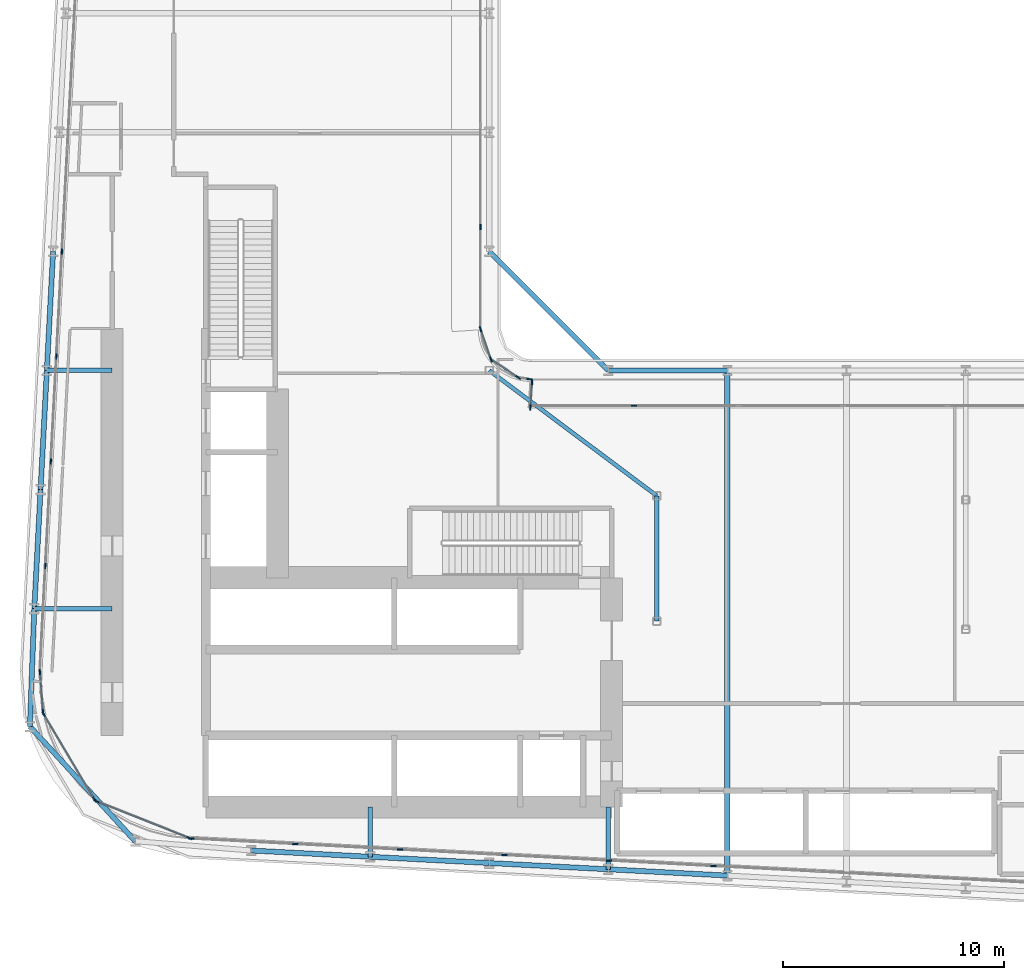
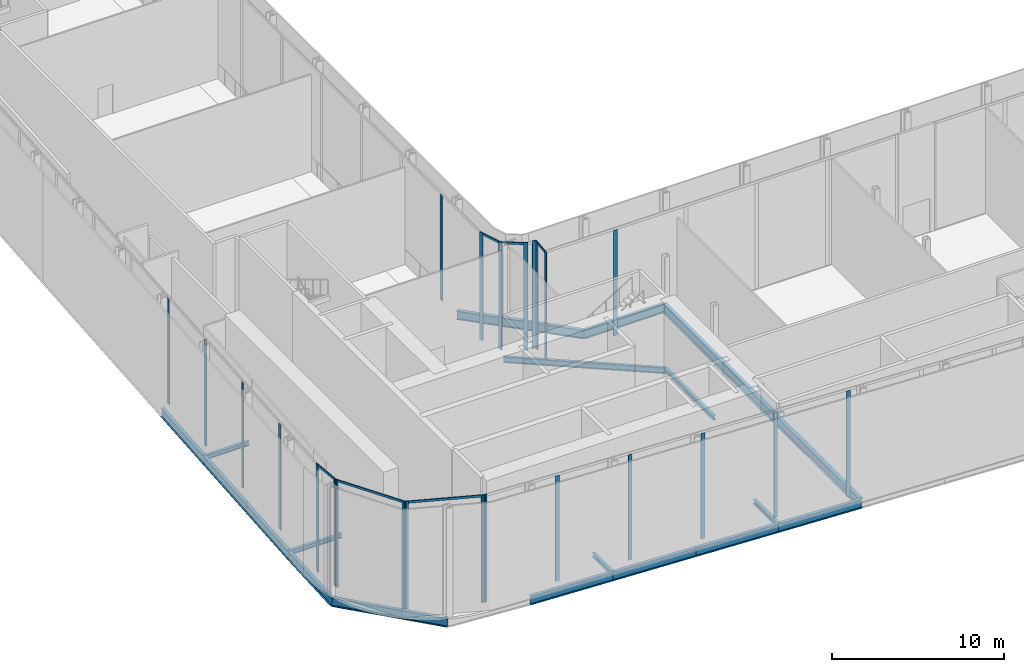
# One storey, part 4 of 36: 30 members, 18 beams, 11 elements without a shape of their own.
"""IFC4 building model written with IfcOpenShell, lengths in metres."""

from ifc_helpers import new_model, si_unit, direction, frame, origin, origin_2d, place, context, subcontext, project, spatial, rectangle, i_section, extrude, material, layer, layer_set, material_profile, profile_set, type_object, element, aggregate, save


model = new_model("IFC4")

# Units and contexts
model_context = context("Model", 3, precision=1e-05, world=origin(), true_north=direction((0.0, 1.0)))
body_context = subcontext(model_context, "Body", "Model", "MODEL_VIEW")
ifc_project = project(units=[si_unit("LENGTHUNIT", "METRE"), si_unit("AREAUNIT", "SQUARE_METRE"), si_unit("VOLUMEUNIT", "CUBIC_METRE"), si_unit("PLANEANGLEUNIT", "RADIAN"), si_unit("MASSUNIT", "GRAM", prefix="KILO")], contexts=[model_context])

# Site, building, storey
site_placement = place(None, origin())
site = spatial("IfcSite", under=ifc_project, at=site_placement, CompositionType="ELEMENT")
building_placement = place(site_placement, origin())
building = spatial("IfcBuilding", under=site, at=building_placement, Name="Kheshtan School and Residences Tower", CompositionType="ELEMENT")
storey_placement = place(building_placement, frame((0.0, 0.0, 81.199951171875)))
storey = spatial("IfcBuildingStorey", under=building, at=storey_placement, Name="L19", CompositionType="ELEMENT", Elevation=81.199951171875)

# Beams
ifc_material_1 = material(Name="Steel ASTM A992 Grade 50", Category="steel")
ifc_material_profile_1 = material_profile(ifc_material_1, i_section(OverallWidth=0.202880859375, OverallDepth=0.302978515625, WebThickness=0.007568359375, FlangeThickness=0.01318359375, FilletRadius=0.009033203125, at=origin_2d()), Name="W310x60")
ifc_profile_set_1 = profile_set([ifc_material_profile_1], Name="Steel ASTM A992 Grade 50")
beam_type_1 = type_object("IfcBeamType", Name="Beam FB1 W310x60 ASTM A992 Grade 50", PredefinedType="BEAM", material=ifc_profile_set_1)
beam_1_placement = place(storey_placement, frame((53.0, 22.97998046875, -0.301513671875), z_axis=(0.0, 1.0, 0.0), x_axis=(-1.0, 0.0, 0.0)))
element("IfcBeam", 1, at=beam_1_placement, inside=storey, type_object=beam_type_1, Name="Floor beam C019", PredefinedType="BEAM", context=body_context, shape_type="SweptSolid", body=[
    extrude(i_section(OverallWidth=0.202880859375, OverallDepth=0.302978515625, WebThickness=0.007568359375, FlangeThickness=0.01318359375, FilletRadius=0.009033203125, at=origin_2d()), origin(), (0.0, 0.0, 1.0), 2.820068359375),
])
beam_2_placement = place(storey_placement, frame((42.199951171875, 23.548095703125, -0.301513671875), z_axis=(0.0, 1.0, 0.0), x_axis=(-1.0, 0.0, 0.0)))
element("IfcBeam", 2, at=beam_2_placement, inside=storey, type_object=beam_type_1, Name="Floor beam C021", PredefinedType="BEAM", context=body_context, shape_type="SweptSolid", body=[
    extrude(i_section(OverallWidth=0.202880859375, OverallDepth=0.302978515625, WebThickness=0.007568359375, FlangeThickness=0.01318359375, FilletRadius=0.009033203125, at=origin_2d()), origin(), (0.0, 0.0, 1.0), 2.251953125),
])
beam_3_placement = place(storey_placement, frame((26.968994140625, 34.800048828125, -0.301513671875), z_axis=(1.0, 0.0, 0.0), x_axis=(0.0, 1.0, 0.0)))
element("IfcBeam", 3, at=beam_3_placement, inside=storey, type_object=beam_type_1, Name="Floor beam C052", PredefinedType="BEAM", context=body_context, shape_type="SweptSolid", body=[
    extrude(i_section(OverallWidth=0.202880859375, OverallDepth=0.302978515625, WebThickness=0.007568359375, FlangeThickness=0.01318359375, FilletRadius=0.009033203125, at=origin_2d()), origin(), (0.0, 0.0, 1.0), 3.531005859375),
])
beam_4_placement = place(storey_placement, frame((27.537109375, 45.60009765625, -0.301513671875), z_axis=(1.0, 0.0, 0.0), x_axis=(0.0, 1.0, 0.0)))
element("IfcBeam", 4, at=beam_4_placement, inside=storey, type_object=beam_type_1, Name="Floor beam C059", PredefinedType="BEAM", context=body_context, shape_type="SweptSolid", body=[
    extrude(i_section(OverallWidth=0.202880859375, OverallDepth=0.302978515625, WebThickness=0.007568359375, FlangeThickness=0.01318359375, FilletRadius=0.009033203125, at=origin_2d()), origin(), (0.0, 0.0, 1.0), 2.962890625),
])
beam_5_placement = place(storey_placement, frame((55.199951171875, 34.23193359375, -0.301513671875), z_axis=(0.0, 1.0, 0.0), x_axis=(-1.0, 0.0, 0.0)))
element("IfcBeam", 5, at=beam_5_placement, inside=storey, type_object=beam_type_1, Name="Floor beam IC", PredefinedType="BEAM", context=body_context, shape_type="SweptSolid", body=[
    extrude(i_section(OverallWidth=0.202880859375, OverallDepth=0.302978515625, WebThickness=0.007568359375, FlangeThickness=0.01318359375, FilletRadius=0.009033203125, at=origin_2d()), origin(), (0.0, 0.0, 1.0), 5.68408203125),
])
ifc_material_profile_2 = material_profile(ifc_material_1, i_section(OverallWidth=0.180908203125, OverallDepth=0.4169921875, WebThickness=0.010986328125, FlangeThickness=0.018310546875, FilletRadius=0.012451171875, at=origin_2d()), Name="W410x85")
ifc_profile_set_2 = profile_set([ifc_material_profile_2], Name="Steel ASTM A992 Grade 50")
beam_type_2 = type_object("IfcBeamType", Name="Beam FB3 W410x85 ASTM A992 Grade 50", PredefinedType="BEAM", material=ifc_profile_set_2)
beam_6_placement = place(storey_placement, frame((47.60009765625, 45.60009765625, -0.3583984375), z_axis=(0.800798828004, -0.598933416222, 0.0), x_axis=(0.598933416222, 0.800798828004, 0.0)))
element("IfcBeam", 6, at=beam_6_placement, inside=storey, type_object=beam_type_2, Name="Floor beam IC", PredefinedType="BEAM", context=body_context, shape_type="SweptSolid", body=[
    extrude(i_section(OverallWidth=0.180908203125, OverallDepth=0.4169921875, WebThickness=0.010986328125, FlangeThickness=0.018310546875, FilletRadius=0.012451171875, at=origin_2d()), origin(), (0.0, 0.0, 1.0), 9.490234375),
])
ifc_material_profile_3 = material_profile(ifc_material_1, i_section(OverallWidth=0.2529296875, OverallDepth=0.677978515625, WebThickness=0.01171875, FlangeThickness=0.016357421875, FilletRadius=0.0146484375, at=origin_2d()), Name="W690x125")
ifc_profile_set_3 = profile_set([ifc_material_profile_3], Name="Steel ASTM A992 Grade 50")
beam_type_3 = type_object("IfcBeamType", Name="Beam FB6 W690x125 ASTM A992 Grade 50", PredefinedType="BEAM", material=ifc_profile_set_3)
beam_7_placement = place(storey_placement, frame((58.39990234375, 45.60009765625, -0.489013671875), z_axis=(0.0, -1.0, 0.0), x_axis=(1.0, 0.0, 0.0)))
element("IfcBeam", 7, at=beam_7_placement, inside=storey, type_object=beam_type_3, Name="Floor beam C062", PredefinedType="BEAM", context=body_context, shape_type="SweptSolid", body=[
    extrude(i_section(OverallWidth=0.2529296875, OverallDepth=0.677978515625, WebThickness=0.01171875, FlangeThickness=0.016357421875, FilletRadius=0.0146484375, at=origin_2d()), origin(), (0.0, 0.0, 1.0), 22.905029296875),
])
ifc_material_profile_4 = material_profile(ifc_material_1, i_section(OverallWidth=0.22998046875, OverallDepth=0.616943359375, WebThickness=0.01318359375, FlangeThickness=0.022216796875, FilletRadius=0.0185546875, at=origin_2d()), Name="W610x140")
ifc_profile_set_4 = profile_set([ifc_material_profile_4], Name="Steel ASTM A992 Grade 50")
beam_type_4 = type_object("IfcBeamType", Name="Beam SP1 W610x140 ASTM A992 Grade 50", PredefinedType="BEAM", material=ifc_profile_set_4)
beam_8_placement = place(storey_placement, frame((47.60009765625, 51.0, -0.45849609375), z_axis=(0.707106781187, -0.707106781187, 0.0), x_axis=(0.707106781187, 0.707106781187, 0.0)))
element("IfcBeam", 8, at=beam_8_placement, inside=storey, type_object=beam_type_4, Name="Spandrel beam C079-C061", PredefinedType="BEAM", context=body_context, shape_type="SweptSolid", body=[
    extrude(i_section(OverallWidth=0.22998046875, OverallDepth=0.616943359375, WebThickness=0.01318359375, FlangeThickness=0.022216796875, FilletRadius=0.0185546875, at=origin_2d()), origin(), (0.0, 0.0, 1.0), 7.63671875),
])
beam_9_placement = place(storey_placement, frame((53.0, 45.60009765625, -0.45849609375), z_axis=(1.0, 0.0, 0.0), x_axis=(0.0, 1.0, 0.0)))
element("IfcBeam", 9, at=beam_9_placement, inside=storey, type_object=beam_type_4, Name="Spandrel beam C061-C062", PredefinedType="BEAM", context=body_context, shape_type="SweptSolid", body=[
    extrude(i_section(OverallWidth=0.22998046875, OverallDepth=0.616943359375, WebThickness=0.01318359375, FlangeThickness=0.022216796875, FilletRadius=0.0185546875, at=origin_2d()), origin(), (0.0, 0.0, 1.0), 5.39990234375),
])
for number, where, z_axis, x_axis, name in (
    (10, (58.39990234375, 22.695068359375, -0.45849609375), (-0.998610961136, 0.052689166816, 0.0), (-0.052689166816, -0.998610961136, 0.0), "Spandrel beam C018-C019"),
    (11, (53.0, 22.97998046875, -0.45849609375), (-0.998620447272, 0.05250906864, 0.0), (-0.05250906864, -0.998620447272, 0.0), "Spandrel beam C019-C020"),
):
    element("IfcBeam", number, at=place(storey_placement, frame(where, z_axis=z_axis, x_axis=x_axis)), inside=storey, type_object=beam_type_4, Name=name, PredefinedType="BEAM", context=body_context, shape_type="SweptSolid", body=[
        extrude(i_section(OverallWidth=0.22998046875, OverallDepth=0.616943359375, WebThickness=0.01318359375, FlangeThickness=0.022216796875, FilletRadius=0.0185546875, at=origin_2d()), origin(), (0.0, 0.0, 1.0), 5.407470703125),
    ])
beam_10_placement = place(storey_placement, frame((47.60009765625, 23.263916015625, -0.45849609375), z_axis=(-0.998618203458, 0.052551724256, 0.0), x_axis=(-0.052551724256, -0.998618203458, 0.0)))
element("IfcBeam", 12, at=beam_10_placement, inside=storey, type_object=beam_type_4, Name="Spandrel beam C020-C021", PredefinedType="BEAM", context=body_context, shape_type="SweptSolid", body=[
    extrude(i_section(OverallWidth=0.22998046875, OverallDepth=0.616943359375, WebThickness=0.01318359375, FlangeThickness=0.022216796875, FilletRadius=0.0185546875, at=origin_2d()), origin(), (0.0, 0.0, 1.0), 5.40771484375),
])
beam_11_placement = place(storey_placement, frame((42.199951171875, 23.548095703125, -0.45849609375), z_axis=(-0.998620447272, 0.05250906864, 0.0), x_axis=(-0.05250906864, -0.998620447272, 0.0)))
element("IfcBeam", 13, at=beam_11_placement, inside=storey, type_object=beam_type_4, Name="Spandrel beam C021-C022", PredefinedType="BEAM", context=body_context, shape_type="SweptSolid", body=[
    extrude(i_section(OverallWidth=0.22998046875, OverallDepth=0.616943359375, WebThickness=0.01318359375, FlangeThickness=0.022216796875, FilletRadius=0.0185546875, at=origin_2d()), origin(), (0.0, 0.0, 1.0), 5.407470703125),
])
beam_12_placement = place(storey_placement, frame((31.5419921875, 24.257080078125, -0.45849609375), z_axis=(-0.676418406149, 0.736517576045, 0.0), x_axis=(-0.736517576045, -0.676418406149, 0.0)))
element("IfcBeam", 14, at=beam_12_placement, inside=storey, type_object=beam_type_4, Name="Spandrel beam C025-C038", PredefinedType="BEAM", context=body_context, shape_type="SweptSolid", body=[
    extrude(i_section(OverallWidth=0.22998046875, OverallDepth=0.616943359375, WebThickness=0.01318359375, FlangeThickness=0.022216796875, FilletRadius=0.0185546875, at=origin_2d()), origin(), (0.0, 0.0, 1.0), 7.05615234375),
])
beam_13_placement = place(storey_placement, frame((26.76904296875, 29.4541015625, -0.45849609375), z_axis=(0.037376249491, 0.999301263871, 0.0), x_axis=(-0.999301263871, 0.037376249491, 0.0)))
element("IfcBeam", 15, at=beam_13_placement, inside=storey, type_object=beam_type_4, Name="Spandrel beam C038-C052", PredefinedType="BEAM", context=body_context, shape_type="SweptSolid", body=[
    extrude(i_section(OverallWidth=0.22998046875, OverallDepth=0.616943359375, WebThickness=0.01318359375, FlangeThickness=0.022216796875, FilletRadius=0.0185546875, at=origin_2d()), origin(), (0.0, 0.0, 1.0), 5.349609375),
])
beam_14_placement = place(storey_placement, frame((26.968994140625, 34.800048828125, -0.45849609375), z_axis=(0.05250906864, 0.998620447272, 0.0), x_axis=(-0.998620447272, 0.05250906864, 0.0)))
element("IfcBeam", 16, at=beam_14_placement, inside=storey, type_object=beam_type_4, Name="Spandrel beam C052-C056", PredefinedType="BEAM", context=body_context, shape_type="SweptSolid", body=[
    extrude(i_section(OverallWidth=0.22998046875, OverallDepth=0.616943359375, WebThickness=0.01318359375, FlangeThickness=0.022216796875, FilletRadius=0.0185546875, at=origin_2d()), origin(), (0.0, 0.0, 1.0), 5.407470703125),
])
beam_15_placement = place(storey_placement, frame((27.2529296875, 40.199951171875, -0.45849609375), z_axis=(0.052551724256, 0.998618203458, 0.0), x_axis=(-0.998618203458, 0.052551724256, 0.0)))
element("IfcBeam", 17, at=beam_15_placement, inside=storey, type_object=beam_type_4, Name="Spandrel beam C056-C059", PredefinedType="BEAM", context=body_context, shape_type="SweptSolid", body=[
    extrude(i_section(OverallWidth=0.22998046875, OverallDepth=0.616943359375, WebThickness=0.01318359375, FlangeThickness=0.022216796875, FilletRadius=0.0185546875, at=origin_2d()), origin(), (0.0, 0.0, 1.0), 5.40771484375),
])
beam_16_placement = place(storey_placement, frame((27.537109375, 45.60009765625, -0.45849609375), z_axis=(0.052689166816, 0.998610961136, 0.0), x_axis=(-0.998610961136, 0.052689166816, 0.0)))
element("IfcBeam", 18, at=beam_16_placement, inside=storey, type_object=beam_type_4, Name="Spandrel beam C059-C078", PredefinedType="BEAM", context=body_context, shape_type="SweptSolid", body=[
    extrude(i_section(OverallWidth=0.22998046875, OverallDepth=0.616943359375, WebThickness=0.01318359375, FlangeThickness=0.022216796875, FilletRadius=0.0185546875, at=origin_2d()), origin(), (0.0, 0.0, 1.0), 5.407470703125),
])

# Curtain wall, member
ifc_material_2 = material(Name="Clear low-e glass in thermally broken aluminium frame", Category="aluminium")
ifc_layer_1 = layer(ifc_material_2, 0.25)
ifc_layer_set_1 = layer_set([ifc_layer_1], Name="Curtain wall CW-G")
curtain_wall_type_1 = type_object("IfcCurtainWallType", Name="Curtain wall CW-G", PredefinedType="NOTDEFINED", material=ifc_layer_set_1)
curtain_wall_1_placement = place(storey_placement, origin())
curtain_wall_1 = element("IfcCurtainWall", 19, at=curtain_wall_1_placement, inside=storey, type_object=curtain_wall_type_1, Name="Curtain wall CWG5", PredefinedType="NOTDEFINED")
ifc_material_3 = material(Name="Thermally broken aluminium, dark bronze anodised", Category="aluminium")
ifc_material_profile_5 = material_profile(ifc_material_3, rectangle(XDim=0.06005859375, YDim=0.25, at=origin_2d()), Name="CW-G mullion 60x250")
ifc_profile_set_5 = profile_set([ifc_material_profile_5], Name="Thermally broken aluminium, dark bronze anodised")
member_type_1 = type_object("IfcMemberType", Name="CW-G mullion 60x250", PredefinedType="MULLION", material=ifc_profile_set_5)
member_1_placement = place(storey_placement, frame((54.169921875, 44.0, 0.0), z_axis=(0.0, 0.0, 1.0), x_axis=(0.0, 1.0, 0.0)))
member_1 = element("IfcMember", 20, at=member_1_placement, type_object=member_type_1, Name="CWG5 mullion 2", PredefinedType="MULLION", context=body_context, shape_type="SweptSolid", body=[
    extrude(rectangle(XDim=0.06005859375, YDim=0.25, at=origin_2d()), origin(), (0.0, 0.0, 1.0), 7.489990234375),
])
aggregate(curtain_wall_1, [member_1])

# Curtain wall, members
ifc_layer_2 = layer(ifc_material_2, 0.25)
ifc_layer_set_2 = layer_set([ifc_layer_2], Name="Curtain wall CW-K")
curtain_wall_type_2 = type_object("IfcCurtainWallType", Name="Curtain wall CW-K", PredefinedType="NOTDEFINED", material=ifc_layer_set_2)
curtain_wall_2_placement = place(storey_placement, origin())
curtain_wall_2 = element("IfcCurtainWall", 21, at=curtain_wall_2_placement, inside=storey, type_object=curtain_wall_type_2, Name="Curtain wall CWK1", PredefinedType="NOTDEFINED")
ifc_material_profile_6 = material_profile(ifc_material_3, rectangle(XDim=0.06005859375, YDim=0.25, at=origin_2d()), Name="CW-K mullion 60x250")
ifc_profile_set_6 = profile_set([ifc_material_profile_6], Name="Thermally broken aluminium, dark bronze anodised")
member_type_2 = type_object("IfcMemberType", Name="CW-K mullion 60x250", PredefinedType="MULLION", material=ifc_profile_set_6)
member_2_placement = place(storey_placement, frame((47.204345703125, 47.473388671875, 0.0), z_axis=(0.0, 0.0, 1.0), x_axis=(0.945190205469, 0.326520252796, 0.0)))
member_2 = element("IfcMember", 22, at=member_2_placement, type_object=member_type_2, Name="CWK1 mullion 1", PredefinedType="MULLION", context=body_context, shape_type="SweptSolid", body=[
    extrude(rectangle(XDim=0.06005859375, YDim=0.25, at=origin_2d()), origin(), (0.0, 0.0, 1.0), 7.650146484375),
])
member_3_placement = place(storey_placement, frame((47.6787109375, 46.10009765625, 0.0), z_axis=(0.0, 0.0, 1.0), x_axis=(0.945190205469, 0.326520252796, 0.0)))
member_3 = element("IfcMember", 23, at=member_3_placement, type_object=member_type_2, Name="CWK1 mullion 2", PredefinedType="MULLION", context=body_context, shape_type="SweptSolid", body=[
    extrude(rectangle(XDim=0.06005859375, YDim=0.25, at=origin_2d()), origin(), (0.0, 0.0, 1.0), 7.650146484375),
])

# Curtain wall, member
curtain_wall_3_placement = place(storey_placement, origin())
curtain_wall_3 = element("IfcCurtainWall", 24, at=curtain_wall_3_placement, inside=storey, type_object=curtain_wall_type_2, Name="Curtain wall CWK2", PredefinedType="NOTDEFINED")
member_4_placement = place(storey_placement, frame((48.90966796875, 45.27978515625, 0.0), z_axis=(0.0, 0.0, 1.0), x_axis=(0.555744859586, 0.831352904033, 0.0)))
member_4 = element("IfcMember", 25, at=member_4_placement, type_object=member_type_2, Name="CWK2 mullion 2", PredefinedType="MULLION", context=body_context, shape_type="SweptSolid", body=[
    extrude(rectangle(XDim=0.06005859375, YDim=0.25, at=origin_2d()), origin(), (0.0, 0.0, 1.0), 7.650146484375),
])

curtain_wall_4_placement = place(storey_placement, origin())
curtain_wall_4 = element("IfcCurtainWall", 26, at=curtain_wall_4_placement, inside=storey, type_object=curtain_wall_type_2, Name="Curtain wall CWK3", PredefinedType="NOTDEFINED")
member_5_placement = place(storey_placement, frame((49.424072265625, 45.205078125, 0.0), z_axis=(0.0, 0.0, 1.0), x_axis=(0.137712714358, 0.990472214807, 0.0)))
member_5 = element("IfcMember", 27, at=member_5_placement, type_object=member_type_2, Name="CWK3 mullion 2", PredefinedType="MULLION", context=body_context, shape_type="SweptSolid", body=[
    extrude(rectangle(XDim=0.06005859375, YDim=0.25, at=origin_2d()), origin(), (0.0, 0.0, 1.0), 7.650146484375),
])
aggregate(curtain_wall_4, [member_5])

# Curtain wall, members
curtain_wall_5_placement = place(storey_placement, origin())
curtain_wall_5 = element("IfcCurtainWall", 28, at=curtain_wall_5_placement, inside=storey, type_object=curtain_wall_type_2, Name="Curtain wall CWK4", PredefinedType="NOTDEFINED")
member_6_placement = place(storey_placement, frame((49.537841796875, 45.0654296875, 0.0), z_axis=(0.0, 0.0, 1.0), x_axis=(0.997829199352, -0.065855059944, 0.0)))
member_6 = element("IfcMember", 29, at=member_6_placement, type_object=member_type_2, Name="CWK4 mullion 1", PredefinedType="MULLION", context=body_context, shape_type="SweptSolid", body=[
    extrude(rectangle(XDim=0.06005859375, YDim=0.25, at=origin_2d()), origin(), (0.0, 0.0, 1.0), 7.650146484375),
])
member_7_placement = place(storey_placement, frame((49.462646484375, 43.928466796875, 0.0), z_axis=(0.0, 0.0, 1.0), x_axis=(0.997829199352, -0.065855059944, 0.0)))
member_7 = element("IfcMember", 30, at=member_7_placement, type_object=member_type_2, Name="CWK4 mullion 2", PredefinedType="MULLION", context=body_context, shape_type="SweptSolid", body=[
    extrude(rectangle(XDim=0.06005859375, YDim=0.25, at=origin_2d()), origin(), (0.0, 0.0, 1.0), 7.650146484375),
])

curtain_wall_6_placement = place(storey_placement, origin())
curtain_wall_6 = element("IfcCurtainWall", 31, at=curtain_wall_6_placement, inside=storey, type_object=curtain_wall_type_2, Name="Curtain wall CWK14", PredefinedType="NOTDEFINED")
member_8_placement = place(storey_placement, frame((57.76513671875, 23.12939453125, 0.0), z_axis=(0.0, 0.0, 1.0), x_axis=(-0.052569888839, -0.998617247391, 0.0)))
member_8 = element("IfcMember", 32, at=member_8_placement, type_object=member_type_2, Name="CWK14 mullion 10", PredefinedType="MULLION", context=body_context, shape_type="SweptSolid", body=[
    extrude(rectangle(XDim=0.06005859375, YDim=0.25, at=origin_2d()), origin(), (0.0, 0.0, 1.0), 7.489990234375),
])
member_9_placement = place(storey_placement, frame((53.024169921875, 23.37890625, 0.0), z_axis=(0.0, 0.0, 1.0), x_axis=(-0.052569888839, -0.998617247391, 0.0)))
member_9 = element("IfcMember", 33, at=member_9_placement, type_object=member_type_2, Name="CWK14 mullion 11", PredefinedType="MULLION", context=body_context, shape_type="SweptSolid", body=[
    extrude(rectangle(XDim=0.06005859375, YDim=0.25, at=origin_2d()), origin(), (0.0, 0.0, 1.0), 7.489990234375),
])
member_10_placement = place(storey_placement, frame((48.283203125, 23.62841796875, 0.0), z_axis=(0.0, 0.0, 1.0), x_axis=(-0.052569888839, -0.998617247391, 0.0)))
member_10 = element("IfcMember", 34, at=member_10_placement, type_object=member_type_2, Name="CWK14 mullion 12", PredefinedType="MULLION", context=body_context, shape_type="SweptSolid", body=[
    extrude(rectangle(XDim=0.06005859375, YDim=0.25, at=origin_2d()), origin(), (0.0, 0.0, 1.0), 7.489990234375),
])
member_11_placement = place(storey_placement, frame((43.54248046875, 23.8779296875, 0.0), z_axis=(0.0, 0.0, 1.0), x_axis=(-0.052569888839, -0.998617247391, 0.0)))
member_11 = element("IfcMember", 35, at=member_11_placement, type_object=member_type_2, Name="CWK14 mullion 13", PredefinedType="MULLION", context=body_context, shape_type="SweptSolid", body=[
    extrude(rectangle(XDim=0.06005859375, YDim=0.25, at=origin_2d()), origin(), (0.0, 0.0, 1.0), 7.489990234375),
])
member_12_placement = place(storey_placement, frame((38.801513671875, 24.127685546875, 0.0), z_axis=(0.0, 0.0, 1.0), x_axis=(-0.052569888839, -0.998617247391, 0.0)))
member_12 = element("IfcMember", 36, at=member_12_placement, type_object=member_type_2, Name="CWK14 mullion 14", PredefinedType="MULLION", context=body_context, shape_type="SweptSolid", body=[
    extrude(rectangle(XDim=0.06005859375, YDim=0.25, at=origin_2d()), origin(), (0.0, 0.0, 1.0), 7.489990234375),
])
member_13_placement = place(storey_placement, frame((34.0908203125, 24.37548828125, 0.0), z_axis=(0.0, 0.0, 1.0), x_axis=(-0.052569888839, -0.998617247391, 0.0)))
member_13 = element("IfcMember", 37, at=member_13_placement, type_object=member_type_2, Name="CWK14 mullion 15", PredefinedType="MULLION", context=body_context, shape_type="SweptSolid", body=[
    extrude(rectangle(XDim=0.06005859375, YDim=0.25, at=origin_2d()), origin(), (0.0, 0.0, 1.0), 7.650146484375),
])
aggregate(curtain_wall_6, [member_8, member_9, member_10, member_11, member_12, member_13])

curtain_wall_7_placement = place(storey_placement, origin())
curtain_wall_7 = element("IfcCurtainWall", 38, at=curtain_wall_7_placement, inside=storey, type_object=curtain_wall_type_2, Name="Curtain wall CWK15", PredefinedType="NOTDEFINED")
member_14_placement = place(storey_placement, frame((34.001220703125, 24.39501953125, 0.0), z_axis=(0.0, 0.0, 1.0), x_axis=(-0.369099336022, -0.929389950531, 0.0)))
member_14 = element("IfcMember", 39, at=member_14_placement, type_object=member_type_2, Name="CWK15 mullion 1", PredefinedType="MULLION", context=body_context, shape_type="SweptSolid", body=[
    extrude(rectangle(XDim=0.06005859375, YDim=0.25, at=origin_2d()), origin(), (0.0, 0.0, 1.0), 7.650146484375),
])
member_15_placement = place(storey_placement, frame((29.7890625, 26.06787109375, 0.0), z_axis=(0.0, 0.0, 1.0), x_axis=(-0.369099336022, -0.929389950531, 0.0)))
member_15 = element("IfcMember", 40, at=member_15_placement, type_object=member_type_2, Name="CWK15 mullion 2", PredefinedType="MULLION", context=body_context, shape_type="SweptSolid", body=[
    extrude(rectangle(XDim=0.06005859375, YDim=0.25, at=origin_2d()), origin(), (0.0, 0.0, 1.0), 7.650146484375),
])

curtain_wall_8_placement = place(storey_placement, origin())
curtain_wall_8 = element("IfcCurtainWall", 41, at=curtain_wall_8_placement, inside=storey, type_object=curtain_wall_type_2, Name="Curtain wall CWK16", PredefinedType="NOTDEFINED")
member_16_placement = place(storey_placement, frame((29.69677734375, 26.146728515625, 0.0), z_axis=(0.0, 0.0, 1.0), x_axis=(-0.85953588802, -0.511075392878, 0.0)))
member_16 = element("IfcMember", 42, at=member_16_placement, type_object=member_type_2, Name="CWK16 mullion 1", PredefinedType="MULLION", context=body_context, shape_type="SweptSolid", body=[
    extrude(rectangle(XDim=0.06005859375, YDim=0.25, at=origin_2d()), origin(), (0.0, 0.0, 1.0), 7.650146484375),
])
member_17_placement = place(storey_placement, frame((27.395263671875, 30.01708984375, 0.0), z_axis=(0.0, 0.0, 1.0), x_axis=(-0.85953588802, -0.511075392878, 0.0)))
member_17 = element("IfcMember", 43, at=member_17_placement, type_object=member_type_2, Name="CWK16 mullion 2", PredefinedType="MULLION", context=body_context, shape_type="SweptSolid", body=[
    extrude(rectangle(XDim=0.06005859375, YDim=0.25, at=origin_2d()), origin(), (0.0, 0.0, 1.0), 7.650146484375),
])

curtain_wall_9_placement = place(storey_placement, origin())
curtain_wall_9 = element("IfcCurtainWall", 44, at=curtain_wall_9_placement, inside=storey, type_object=curtain_wall_type_2, Name="Curtain wall CWK17", PredefinedType="NOTDEFINED")
member_18_placement = place(storey_placement, frame((27.364013671875, 30.1162109375, 0.0), z_axis=(0.0, 0.0, 1.0), x_axis=(-0.996988506678, -0.077549452299, 0.0)))
member_18 = element("IfcMember", 45, at=member_18_placement, type_object=member_type_2, Name="CWK17 mullion 1", PredefinedType="MULLION", context=body_context, shape_type="SweptSolid", body=[
    extrude(rectangle(XDim=0.06005859375, YDim=0.25, at=origin_2d()), origin(), (0.0, 0.0, 1.0), 7.650146484375),
])
member_19_placement = place(storey_placement, frame((27.22265625, 31.933349609375, 0.0), z_axis=(0.0, 0.0, 1.0), x_axis=(-0.996988506678, -0.077549452299, 0.0)))
member_19 = element("IfcMember", 46, at=member_19_placement, type_object=member_type_2, Name="CWK17 mullion 2", PredefinedType="MULLION", context=body_context, shape_type="SweptSolid", body=[
    extrude(rectangle(XDim=0.06005859375, YDim=0.25, at=origin_2d()), origin(), (0.0, 0.0, 1.0), 7.650146484375),
])

curtain_wall_10_placement = place(storey_placement, origin())
curtain_wall_10 = element("IfcCurtainWall", 47, at=curtain_wall_10_placement, inside=storey, type_object=curtain_wall_type_2, Name="Curtain wall CWK18", PredefinedType="NOTDEFINED")
member_20_placement = place(storey_placement, frame((27.47021484375, 36.728515625, 0.0), z_axis=(0.0, 0.0, 1.0), x_axis=(-0.998617497599, 0.05256513568, 0.0)))
member_20 = element("IfcMember", 48, at=member_20_placement, type_object=member_type_2, Name="CWK18 mullion 2", PredefinedType="MULLION", context=body_context, shape_type="SweptSolid", body=[
    extrude(rectangle(XDim=0.06005859375, YDim=0.25, at=origin_2d()), origin(), (0.0, 0.0, 1.0), 7.489990234375),
])
member_21_placement = place(storey_placement, frame((27.720458984375, 41.48046875, 0.0), z_axis=(0.0, 0.0, 1.0), x_axis=(-0.998617497599, 0.05256513568, 0.0)))
member_21 = element("IfcMember", 49, at=member_21_placement, type_object=member_type_2, Name="CWK18 mullion 3", PredefinedType="MULLION", context=body_context, shape_type="SweptSolid", body=[
    extrude(rectangle(XDim=0.06005859375, YDim=0.25, at=origin_2d()), origin(), (0.0, 0.0, 1.0), 7.489990234375),
])
member_22_placement = place(storey_placement, frame((27.970458984375, 46.232666015625, 0.0), z_axis=(0.0, 0.0, 1.0), x_axis=(-0.998617497599, 0.05256513568, 0.0)))
member_22 = element("IfcMember", 50, at=member_22_placement, type_object=member_type_2, Name="CWK18 mullion 4", PredefinedType="MULLION", context=body_context, shape_type="SweptSolid", body=[
    extrude(rectangle(XDim=0.06005859375, YDim=0.25, at=origin_2d()), origin(), (0.0, 0.0, 1.0), 7.489990234375),
])
member_23_placement = place(storey_placement, frame((28.220703125, 50.98486328125, 0.0), z_axis=(0.0, 0.0, 1.0), x_axis=(-0.998617497599, 0.05256513568, 0.0)))
member_23 = element("IfcMember", 51, at=member_23_placement, type_object=member_type_2, Name="CWK18 mullion 5", PredefinedType="MULLION", context=body_context, shape_type="SweptSolid", body=[
    extrude(rectangle(XDim=0.06005859375, YDim=0.25, at=origin_2d()), origin(), (0.0, 0.0, 1.0), 7.489990234375),
])
aggregate(curtain_wall_10, [member_20, member_21, member_22, member_23])

# Curtain wall, member
curtain_wall_11_placement = place(storey_placement, origin())
curtain_wall_11 = element("IfcCurtainWall", 52, at=curtain_wall_11_placement, inside=storey, type_object=curtain_wall_type_2, Name="Curtain wall CWK24", PredefinedType="NOTDEFINED")
member_24_placement = place(storey_placement, frame((47.199951171875, 52.10546875, 0.0), z_axis=(0.0, 0.0, 1.0), x_axis=(1.0, 0.0, 0.0)))
member_24 = element("IfcMember", 53, at=member_24_placement, type_object=member_type_2, Name="CWK24 mullion 11", PredefinedType="MULLION", context=body_context, shape_type="SweptSolid", body=[
    extrude(rectangle(XDim=0.06005859375, YDim=0.25, at=origin_2d()), origin(), (0.0, 0.0, 1.0), 7.489990234375),
])
aggregate(curtain_wall_11, [member_24])

# Member
ifc_material_profile_7 = material_profile(ifc_material_3, rectangle(XDim=0.06005859375, YDim=0.159912109375, at=origin_2d()), Name="CW-K transom 60x160")
ifc_profile_set_7 = profile_set([ifc_material_profile_7], Name="Thermally broken aluminium, dark bronze anodised")
member_type_3 = type_object("IfcMemberType", Name="CW-K transom 60x160", PredefinedType="USERDEFINED", material=ifc_profile_set_7)
member_25_placement = place(storey_placement, frame((47.214111328125, 47.44482421875, 7.570068359375), z_axis=(0.326568656933, -0.945173482652, 0.0), x_axis=(0.945173482652, 0.326568656933, 0.0)))
member_25 = element("IfcMember", 54, at=member_25_placement, type_object=member_type_3, Name="CWK1 transom 1", ObjectType="TRANSOM", PredefinedType="USERDEFINED", context=body_context, shape_type="SweptSolid", body=[
    extrude(rectangle(XDim=0.06005859375, YDim=0.159912109375, at=origin_2d()), origin(), (0.0, 0.0, 1.0), 1.392822265625),
])

aggregate(curtain_wall_2, [member_2, member_3, member_25])

member_26_placement = place(storey_placement, frame((47.704833984375, 46.085205078125, 7.570068359375), z_axis=(0.831335091736, -0.555771504531, 0.0), x_axis=(0.555771504531, 0.831335091736, 0.0)))
member_26 = element("IfcMember", 55, at=member_26_placement, type_object=member_type_3, Name="CWK2 transom 1", ObjectType="TRANSOM", PredefinedType="USERDEFINED", context=body_context, shape_type="SweptSolid", body=[
    extrude(rectangle(XDim=0.06005859375, YDim=0.159912109375, at=origin_2d()), origin(), (0.0, 0.0, 1.0), 1.41943359375),
])

aggregate(curtain_wall_3, [member_4, member_26])

member_27_placement = place(storey_placement, frame((49.535888671875, 45.03564453125, 7.570068359375), z_axis=(-0.065798635894, -0.997832921643, 0.0), x_axis=(0.997832921643, -0.065798635894, 0.0)))
member_27 = element("IfcMember", 56, at=member_27_placement, type_object=member_type_3, Name="CWK4 transom 1", ObjectType="TRANSOM", PredefinedType="USERDEFINED", context=body_context, shape_type="SweptSolid", body=[
    extrude(rectangle(XDim=0.06005859375, YDim=0.159912109375, at=origin_2d()), origin(), (0.0, 0.0, 1.0), 1.079833984375),
])

aggregate(curtain_wall_5, [member_6, member_7, member_27])

member_28_placement = place(storey_placement, frame((33.973388671875, 24.40625, 7.570068359375), z_axis=(-0.929396211553, 0.369083570415, 0.0), x_axis=(-0.369083570415, -0.929396211553, 0.0)))
member_28 = element("IfcMember", 57, at=member_28_placement, type_object=member_type_3, Name="CWK15 transom 1", ObjectType="TRANSOM", PredefinedType="USERDEFINED", context=body_context, shape_type="SweptSolid", body=[
    extrude(rectangle(XDim=0.06005859375, YDim=0.159912109375, at=origin_2d()), origin(), (0.0, 0.0, 1.0), 4.47216796875),
])

aggregate(curtain_wall_7, [member_14, member_15, member_28])

member_29_placement = place(storey_placement, frame((29.681396484375, 26.17236328125, 7.570068359375), z_axis=(-0.511089656668, 0.859527406688, 0.0), x_axis=(-0.859527406688, -0.511089656668, 0.0)))
member_29 = element("IfcMember", 58, at=member_29_placement, type_object=member_type_3, Name="CWK16 transom 1", ObjectType="TRANSOM", PredefinedType="USERDEFINED", context=body_context, shape_type="SweptSolid", body=[
    extrude(rectangle(XDim=0.06005859375, YDim=0.159912109375, at=origin_2d()), origin(), (0.0, 0.0, 1.0), 4.44287109375),
])

aggregate(curtain_wall_8, [member_16, member_17, member_29])

member_30_placement = place(storey_placement, frame((27.361572265625, 30.14599609375, 7.570068359375), z_axis=(-0.077565002269, 0.996987297022, 0.0), x_axis=(-0.996987297022, -0.077565002269, 0.0)))
member_30 = element("IfcMember", 59, at=member_30_placement, type_object=member_type_3, Name="CWK17 transom 1", ObjectType="TRANSOM", PredefinedType="USERDEFINED", context=body_context, shape_type="SweptSolid", body=[
    extrude(rectangle(XDim=0.06005859375, YDim=0.159912109375, at=origin_2d()), origin(), (0.0, 0.0, 1.0), 1.7626953125),
])

aggregate(curtain_wall_9, [member_18, member_19, member_30])

save(model, "model.ifc")
